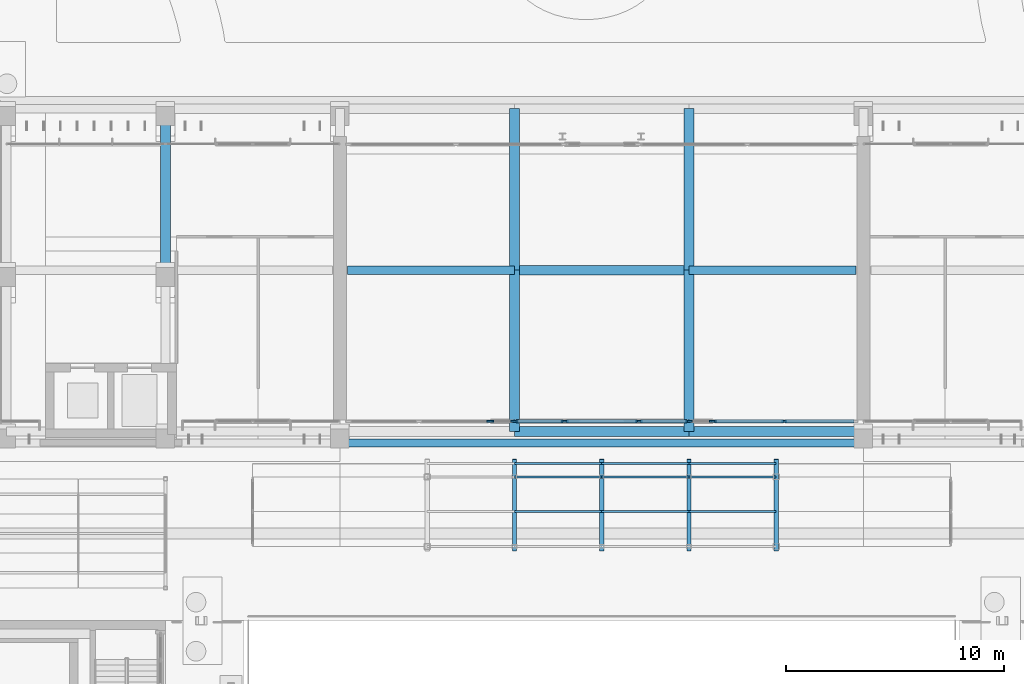
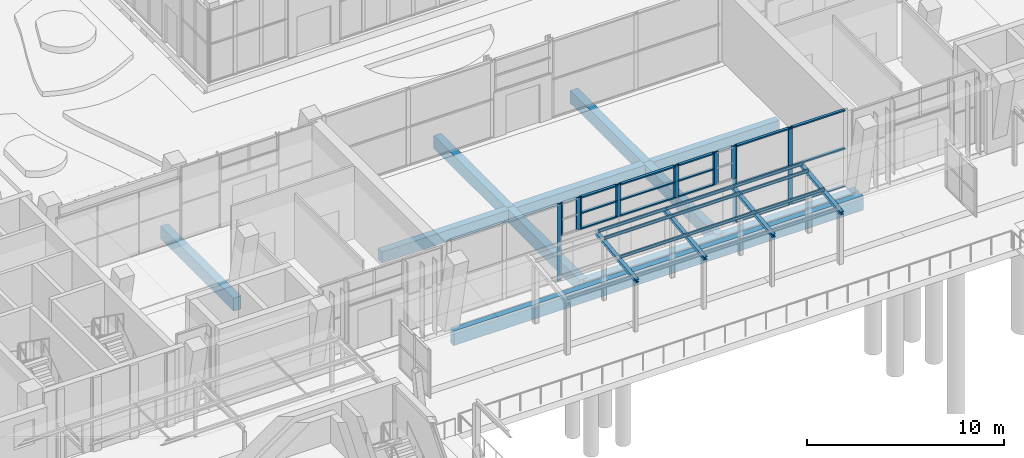
# One storey, part 34 of 144: 37 members, 15 beams, 7 elements without a shape of their own.
"""IFC4 building model written with IfcOpenShell, lengths in metres."""

from ifc_helpers import new_model, si_unit, direction, frame, origin, origin_2d, place, context, subcontext, project, spatial, rectangle, i_section, extrude, material, material_profile, profile_set, type_object, element, aggregate, save


model = new_model("IFC4")

# Units and contexts
model_context = context("Model", 3, precision=1e-05, world=origin(), true_north=direction((0.0, 1.0)))
body_context = subcontext(model_context, "Body", "Model", "MODEL_VIEW")
ifc_project = project(units=[si_unit("LENGTHUNIT", "METRE"), si_unit("AREAUNIT", "SQUARE_METRE"), si_unit("VOLUMEUNIT", "CUBIC_METRE"), si_unit("PLANEANGLEUNIT", "RADIAN"), si_unit("MASSUNIT", "GRAM", prefix="KILO")], contexts=[model_context])

# Site, building, storey
site_placement = place(None, origin())
site = spatial("IfcSite", under=ifc_project, at=site_placement, CompositionType="ELEMENT")
building_placement = place(site_placement, origin())
building = spatial("IfcBuilding", under=site, at=building_placement, Name="Lantern Court Media Centre", CompositionType="ELEMENT")
storey_placement = place(building_placement, origin())
storey = spatial("IfcBuildingStorey", under=building, at=storey_placement, Name="L00", CompositionType="ELEMENT", Elevation=0.0)

# Curtain wall, member
ifc_material_1 = material(Name="Curtain wall bay 4000")
curtain_wall_type = type_object("IfcCurtainWallType", Name="Curtain wall bay 4000", PredefinedType="NOTDEFINED", material=ifc_material_1)
curtain_wall_1_placement = place(storey_placement, origin())
curtain_wall_1 = element("IfcCurtainWall", 1, at=curtain_wall_1_placement, inside=storey, type_object=curtain_wall_type, Name="Curtain wall S outer L00", PredefinedType="NOTDEFINED")
ifc_material_2 = material(Name="Anodised aluminium", Category="aluminium")
ifc_material_profile_1 = material_profile(ifc_material_2, rectangle(XDim=0.080078125, YDim=0.239990234375, at=origin_2d()), Name="AL 80x240")
ifc_profile_set_1 = profile_set([ifc_material_profile_1], Name="Anodised aluminium")
member_type_1 = type_object("IfcMemberType", Name="Curtain wall mullion 80x240", PredefinedType="MULLION", material=ifc_profile_set_1)
member_1_placement = place(storey_placement, frame((46.860107421875, 49.14990234375, 0.0), z_axis=(0.0, 0.0, 1.0), x_axis=(0.0, 1.0, 0.0)))
member_1 = element("IfcMember", 2, at=member_1_placement, type_object=member_type_1, Name="CW3 mullion 3", PredefinedType="MULLION", context=body_context, shape_type="SweptSolid", body=[
    extrude(rectangle(XDim=0.080078125, YDim=0.239990234375, at=origin_2d()), origin(), (0.0, 0.0, 1.0), 4.800048828125),
])
aggregate(curtain_wall_1, [member_1])

# Curtain wall, members
curtain_wall_2_placement = place(storey_placement, origin())
curtain_wall_2 = element("IfcCurtainWall", 3, at=curtain_wall_2_placement, inside=storey, type_object=curtain_wall_type, Name="Curtain wall S outer L00", PredefinedType="NOTDEFINED")
member_2_placement = place(storey_placement, frame((57.139892578125, 49.14990234375, 0.0), z_axis=(0.0, 0.0, 1.0), x_axis=(0.0, 1.0, 0.0)))
member_2 = element("IfcMember", 4, at=member_2_placement, type_object=member_type_1, Name="CW3 mullion 1", PredefinedType="MULLION", context=body_context, shape_type="SweptSolid", body=[
    extrude(rectangle(XDim=0.080078125, YDim=0.239990234375, at=origin_2d()), origin(), (0.0, 0.0, 1.0), 4.800048828125),
])
member_3_placement = place(storey_placement, frame((60.375, 49.14990234375, 0.0), z_axis=(0.0, 0.0, 1.0), x_axis=(0.0, 1.0, 0.0)))
member_3 = element("IfcMember", 5, at=member_3_placement, type_object=member_type_1, Name="CW3 mullion 2", PredefinedType="MULLION", context=body_context, shape_type="SweptSolid", body=[
    extrude(rectangle(XDim=0.080078125, YDim=0.239990234375, at=origin_2d()), origin(), (0.0, 0.0, 1.0), 4.800048828125),
])

curtain_wall_3_placement = place(storey_placement, origin())
curtain_wall_3 = element("IfcCurtainWall", 6, at=curtain_wall_3_placement, inside=storey, type_object=curtain_wall_type, Name="Curtain wall S outer L00", PredefinedType="NOTDEFINED")
member_4_placement = place(storey_placement, frame((46.93994140625, 49.14990234375, 2.800048828125), z_axis=(0.0, 0.0, 1.0), x_axis=(0.0, 1.0, 0.0)))
member_4 = element("IfcMember", 7, at=member_4_placement, type_object=member_type_1, Name="CW3 mullion 1", PredefinedType="MULLION", context=body_context, shape_type="SweptSolid", body=[
    extrude(rectangle(XDim=0.080078125, YDim=0.239990234375, at=origin_2d()), origin(), (0.0, 0.0, 1.0), 2.0),
])
member_5_placement = place(storey_placement, frame((47.9599609375, 49.14990234375, 2.800048828125), z_axis=(0.0, 0.0, 1.0), x_axis=(0.0, 1.0, 0.0)))
member_5 = element("IfcMember", 8, at=member_5_placement, type_object=member_type_1, Name="CW3 mullion 2", PredefinedType="MULLION", context=body_context, shape_type="SweptSolid", body=[
    extrude(rectangle(XDim=0.080078125, YDim=0.239990234375, at=origin_2d()), origin(), (0.0, 0.0, 1.0), 2.0),
])
aggregate(curtain_wall_3, [member_4, member_5])

curtain_wall_4_placement = place(storey_placement, origin())
curtain_wall_4 = element("IfcCurtainWall", 9, at=curtain_wall_4_placement, inside=storey, type_object=curtain_wall_type, Name="Curtain wall S outer L00", PredefinedType="NOTDEFINED")
member_6_placement = place(storey_placement, frame((48.0400390625, 49.14990234375, 2.800048828125), z_axis=(0.0, 0.0, 1.0), x_axis=(0.0, 1.0, 0.0)))
member_6 = element("IfcMember", 10, at=member_6_placement, type_object=member_type_1, Name="CW3 mullion 1", PredefinedType="MULLION", context=body_context, shape_type="SweptSolid", body=[
    extrude(rectangle(XDim=0.080078125, YDim=0.239990234375, at=origin_2d()), origin(), (0.0, 0.0, 1.0), 2.0),
])
member_7_placement = place(storey_placement, frame((50.260009765625, 49.14990234375, 2.800048828125), z_axis=(0.0, 0.0, 1.0), x_axis=(0.0, 1.0, 0.0)))
member_7 = element("IfcMember", 11, at=member_7_placement, type_object=member_type_1, Name="CW3 mullion 2", PredefinedType="MULLION", context=body_context, shape_type="SweptSolid", body=[
    extrude(rectangle(XDim=0.080078125, YDim=0.239990234375, at=origin_2d()), origin(), (0.0, 0.0, 1.0), 2.0),
])

curtain_wall_5_placement = place(storey_placement, origin())
curtain_wall_5 = element("IfcCurtainWall", 12, at=curtain_wall_5_placement, inside=storey, type_object=curtain_wall_type, Name="Curtain wall S outer L00", PredefinedType="NOTDEFINED")
member_8_placement = place(storey_placement, frame((50.340087890625, 49.14990234375, 2.800048828125), z_axis=(0.0, 0.0, 1.0), x_axis=(0.0, 1.0, 0.0)))
member_8 = element("IfcMember", 13, at=member_8_placement, type_object=member_type_1, Name="CW3 mullion 1", PredefinedType="MULLION", context=body_context, shape_type="SweptSolid", body=[
    extrude(rectangle(XDim=0.080078125, YDim=0.239990234375, at=origin_2d()), origin(), (0.0, 0.0, 1.0), 2.0),
])
member_9_placement = place(storey_placement, frame((53.659912109375, 49.14990234375, 2.800048828125), z_axis=(0.0, 0.0, 1.0), x_axis=(0.0, 1.0, 0.0)))
member_9 = element("IfcMember", 14, at=member_9_placement, type_object=member_type_1, Name="CW3 mullion 2", PredefinedType="MULLION", context=body_context, shape_type="SweptSolid", body=[
    extrude(rectangle(XDim=0.080078125, YDim=0.239990234375, at=origin_2d()), origin(), (0.0, 0.0, 1.0), 2.0),
])

curtain_wall_6_placement = place(storey_placement, origin())
curtain_wall_6 = element("IfcCurtainWall", 15, at=curtain_wall_6_placement, inside=storey, type_object=curtain_wall_type, Name="Curtain wall S outer L00", PredefinedType="NOTDEFINED")
member_10_placement = place(storey_placement, frame((53.739990234375, 49.14990234375, 2.800048828125), z_axis=(0.0, 0.0, 1.0), x_axis=(0.0, 1.0, 0.0)))
member_10 = element("IfcMember", 16, at=member_10_placement, type_object=member_type_1, Name="CW3 mullion 1", PredefinedType="MULLION", context=body_context, shape_type="SweptSolid", body=[
    extrude(rectangle(XDim=0.080078125, YDim=0.239990234375, at=origin_2d()), origin(), (0.0, 0.0, 1.0), 2.0),
])
member_11_placement = place(storey_placement, frame((55.9599609375, 49.14990234375, 2.800048828125), z_axis=(0.0, 0.0, 1.0), x_axis=(0.0, 1.0, 0.0)))
member_11 = element("IfcMember", 17, at=member_11_placement, type_object=member_type_1, Name="CW3 mullion 2", PredefinedType="MULLION", context=body_context, shape_type="SweptSolid", body=[
    extrude(rectangle(XDim=0.080078125, YDim=0.239990234375, at=origin_2d()), origin(), (0.0, 0.0, 1.0), 2.0),
])

curtain_wall_7_placement = place(storey_placement, origin())
curtain_wall_7 = element("IfcCurtainWall", 18, at=curtain_wall_7_placement, inside=storey, type_object=curtain_wall_type, Name="Curtain wall S outer L00", PredefinedType="NOTDEFINED")
member_12_placement = place(storey_placement, frame((56.0400390625, 49.14990234375, 2.800048828125), z_axis=(0.0, 0.0, 1.0), x_axis=(0.0, 1.0, 0.0)))
member_12 = element("IfcMember", 19, at=member_12_placement, type_object=member_type_1, Name="CW3 mullion 1", PredefinedType="MULLION", context=body_context, shape_type="SweptSolid", body=[
    extrude(rectangle(XDim=0.080078125, YDim=0.239990234375, at=origin_2d()), origin(), (0.0, 0.0, 1.0), 2.0),
])
member_13_placement = place(storey_placement, frame((57.06005859375, 49.14990234375, 2.800048828125), z_axis=(0.0, 0.0, 1.0), x_axis=(0.0, 1.0, 0.0)))
member_13 = element("IfcMember", 20, at=member_13_placement, type_object=member_type_1, Name="CW3 mullion 2", PredefinedType="MULLION", context=body_context, shape_type="SweptSolid", body=[
    extrude(rectangle(XDim=0.080078125, YDim=0.239990234375, at=origin_2d()), origin(), (0.0, 0.0, 1.0), 2.0),
])
aggregate(curtain_wall_7, [member_12, member_13])

# Member
ifc_material_profile_2 = material_profile(ifc_material_2, rectangle(XDim=0.159912109375, YDim=0.080078125, at=origin_2d()), Name="AL 80x160")
ifc_profile_set_2 = profile_set([ifc_material_profile_2], Name="Anodised aluminium")
member_type_2 = type_object("IfcMemberType", Name="Curtain wall transom 160x80", PredefinedType="USERDEFINED", material=ifc_profile_set_2)
member_14_placement = place(storey_placement, frame((57.179931640625, 49.14990234375, 0.0400390625), z_axis=(1.0, 0.0, 0.0), x_axis=(0.0, 1.0, 0.0)))
member_14 = element("IfcMember", 21, at=member_14_placement, type_object=member_type_2, Name="CW3 transom 1.1", ObjectType="TRANSOM", PredefinedType="USERDEFINED", context=body_context, shape_type="SweptSolid", body=[
    extrude(rectangle(XDim=0.159912109375, YDim=0.080078125, at=origin_2d()), origin(), (0.0, 0.0, 1.0), 3.155029296875),
])

member_15_placement = place(storey_placement, frame((57.179931640625, 49.14990234375, 2.39990234375), z_axis=(1.0, 0.0, 0.0), x_axis=(0.0, 1.0, 0.0)))
member_15 = element("IfcMember", 22, at=member_15_placement, type_object=member_type_2, Name="CW3 transom 1.2", ObjectType="TRANSOM", PredefinedType="USERDEFINED", context=body_context, shape_type="SweptSolid", body=[
    extrude(rectangle(XDim=0.159912109375, YDim=0.080078125, at=origin_2d()), origin(), (0.0, 0.0, 1.0), 3.155029296875),
])

member_16_placement = place(storey_placement, frame((57.179931640625, 49.14990234375, 4.760009765625), z_axis=(1.0, 0.0, 0.0), x_axis=(0.0, 1.0, 0.0)))
member_16 = element("IfcMember", 23, at=member_16_placement, type_object=member_type_2, Name="CW3 transom 1.3", ObjectType="TRANSOM", PredefinedType="USERDEFINED", context=body_context, shape_type="SweptSolid", body=[
    extrude(rectangle(XDim=0.159912109375, YDim=0.080078125, at=origin_2d()), origin(), (0.0, 0.0, 1.0), 3.155029296875),
])

member_17_placement = place(storey_placement, frame((60.4150390625, 49.14990234375, 0.0400390625), z_axis=(1.0, 0.0, 0.0), x_axis=(0.0, 1.0, 0.0)))
member_17 = element("IfcMember", 24, at=member_17_placement, type_object=member_type_2, Name="CW3 transom 2.1", ObjectType="TRANSOM", PredefinedType="USERDEFINED", context=body_context, shape_type="SweptSolid", body=[
    extrude(rectangle(XDim=0.159912109375, YDim=0.080078125, at=origin_2d()), origin(), (0.0, 0.0, 1.0), 3.155029296875),
])

member_18_placement = place(storey_placement, frame((60.4150390625, 49.14990234375, 2.39990234375), z_axis=(1.0, 0.0, 0.0), x_axis=(0.0, 1.0, 0.0)))
member_18 = element("IfcMember", 25, at=member_18_placement, type_object=member_type_2, Name="CW3 transom 2.2", ObjectType="TRANSOM", PredefinedType="USERDEFINED", context=body_context, shape_type="SweptSolid", body=[
    extrude(rectangle(XDim=0.159912109375, YDim=0.080078125, at=origin_2d()), origin(), (0.0, 0.0, 1.0), 3.155029296875),
])

member_19_placement = place(storey_placement, frame((60.4150390625, 49.14990234375, 4.760009765625), z_axis=(1.0, 0.0, 0.0), x_axis=(0.0, 1.0, 0.0)))
member_19 = element("IfcMember", 26, at=member_19_placement, type_object=member_type_2, Name="CW3 transom 2.3", ObjectType="TRANSOM", PredefinedType="USERDEFINED", context=body_context, shape_type="SweptSolid", body=[
    extrude(rectangle(XDim=0.159912109375, YDim=0.080078125, at=origin_2d()), origin(), (0.0, 0.0, 1.0), 3.155029296875),
])

aggregate(curtain_wall_2, [member_2, member_3, member_14, member_15, member_16, member_17, member_18, member_19])

member_20_placement = place(storey_placement, frame((48.080078125, 49.14990234375, 2.840087890625), z_axis=(1.0, 0.0, 0.0), x_axis=(0.0, 1.0, 0.0)))
member_20 = element("IfcMember", 27, at=member_20_placement, type_object=member_type_2, Name="CW3 transom 1.1", ObjectType="TRANSOM", PredefinedType="USERDEFINED", context=body_context, shape_type="SweptSolid", body=[
    extrude(rectangle(XDim=0.159912109375, YDim=0.080078125, at=origin_2d()), origin(), (0.0, 0.0, 1.0), 2.139892578125),
])

member_21_placement = place(storey_placement, frame((48.080078125, 49.14990234375, 3.800048828125), z_axis=(1.0, 0.0, 0.0), x_axis=(0.0, 1.0, 0.0)))
member_21 = element("IfcMember", 28, at=member_21_placement, type_object=member_type_2, Name="CW3 transom 1.2", ObjectType="TRANSOM", PredefinedType="USERDEFINED", context=body_context, shape_type="SweptSolid", body=[
    extrude(rectangle(XDim=0.159912109375, YDim=0.080078125, at=origin_2d()), origin(), (0.0, 0.0, 1.0), 2.139892578125),
])

member_22_placement = place(storey_placement, frame((48.080078125, 49.14990234375, 4.760009765625), z_axis=(1.0, 0.0, 0.0), x_axis=(0.0, 1.0, 0.0)))
member_22 = element("IfcMember", 29, at=member_22_placement, type_object=member_type_2, Name="CW3 transom 1.3", ObjectType="TRANSOM", PredefinedType="USERDEFINED", context=body_context, shape_type="SweptSolid", body=[
    extrude(rectangle(XDim=0.159912109375, YDim=0.080078125, at=origin_2d()), origin(), (0.0, 0.0, 1.0), 2.139892578125),
])

aggregate(curtain_wall_4, [member_6, member_7, member_20, member_21, member_22])

member_23_placement = place(storey_placement, frame((50.3798828125, 49.14990234375, 2.840087890625), z_axis=(1.0, 0.0, 0.0), x_axis=(0.0, 1.0, 0.0)))
member_23 = element("IfcMember", 30, at=member_23_placement, type_object=member_type_2, Name="CW3 transom 1.1", ObjectType="TRANSOM", PredefinedType="USERDEFINED", context=body_context, shape_type="SweptSolid", body=[
    extrude(rectangle(XDim=0.159912109375, YDim=0.080078125, at=origin_2d()), origin(), (0.0, 0.0, 1.0), 3.240234375),
])

member_24_placement = place(storey_placement, frame((50.3798828125, 49.14990234375, 3.800048828125), z_axis=(1.0, 0.0, 0.0), x_axis=(0.0, 1.0, 0.0)))
member_24 = element("IfcMember", 31, at=member_24_placement, type_object=member_type_2, Name="CW3 transom 1.2", ObjectType="TRANSOM", PredefinedType="USERDEFINED", context=body_context, shape_type="SweptSolid", body=[
    extrude(rectangle(XDim=0.159912109375, YDim=0.080078125, at=origin_2d()), origin(), (0.0, 0.0, 1.0), 3.240234375),
])

member_25_placement = place(storey_placement, frame((50.3798828125, 49.14990234375, 4.760009765625), z_axis=(1.0, 0.0, 0.0), x_axis=(0.0, 1.0, 0.0)))
member_25 = element("IfcMember", 32, at=member_25_placement, type_object=member_type_2, Name="CW3 transom 1.3", ObjectType="TRANSOM", PredefinedType="USERDEFINED", context=body_context, shape_type="SweptSolid", body=[
    extrude(rectangle(XDim=0.159912109375, YDim=0.080078125, at=origin_2d()), origin(), (0.0, 0.0, 1.0), 3.240234375),
])

aggregate(curtain_wall_5, [member_8, member_9, member_23, member_24, member_25])

member_26_placement = place(storey_placement, frame((53.780029296875, 49.14990234375, 2.840087890625), z_axis=(1.0, 0.0, 0.0), x_axis=(0.0, 1.0, 0.0)))
member_26 = element("IfcMember", 33, at=member_26_placement, type_object=member_type_2, Name="CW3 transom 1.1", ObjectType="TRANSOM", PredefinedType="USERDEFINED", context=body_context, shape_type="SweptSolid", body=[
    extrude(rectangle(XDim=0.159912109375, YDim=0.080078125, at=origin_2d()), origin(), (0.0, 0.0, 1.0), 2.139892578125),
])

member_27_placement = place(storey_placement, frame((53.780029296875, 49.14990234375, 3.800048828125), z_axis=(1.0, 0.0, 0.0), x_axis=(0.0, 1.0, 0.0)))
member_27 = element("IfcMember", 34, at=member_27_placement, type_object=member_type_2, Name="CW3 transom 1.2", ObjectType="TRANSOM", PredefinedType="USERDEFINED", context=body_context, shape_type="SweptSolid", body=[
    extrude(rectangle(XDim=0.159912109375, YDim=0.080078125, at=origin_2d()), origin(), (0.0, 0.0, 1.0), 2.139892578125),
])

member_28_placement = place(storey_placement, frame((53.780029296875, 49.14990234375, 4.760009765625), z_axis=(1.0, 0.0, 0.0), x_axis=(0.0, 1.0, 0.0)))
member_28 = element("IfcMember", 35, at=member_28_placement, type_object=member_type_2, Name="CW3 transom 1.3", ObjectType="TRANSOM", PredefinedType="USERDEFINED", context=body_context, shape_type="SweptSolid", body=[
    extrude(rectangle(XDim=0.159912109375, YDim=0.080078125, at=origin_2d()), origin(), (0.0, 0.0, 1.0), 2.139892578125),
])

aggregate(curtain_wall_6, [member_10, member_11, member_26, member_27, member_28])

# Members
ifc_material_3 = material(Name="Steel S355J2 (EN 10025-2)", Category="steel")
ifc_material_profile_3 = material_profile(ifc_material_3, i_section(OverallWidth=0.091064453125, OverallDepth=0.179931640625, WebThickness=0.00537109375, FlangeThickness=0.008056640625, FilletRadius=0.009033203125, at=origin_2d()), Name="IPE 180")
ifc_profile_set_3 = profile_set([ifc_material_profile_3], Name="Steel S355J2 (EN 10025-2)")
member_type_3 = type_object("IfcMemberType", Name="Entrance canopy purlin IPE 180", PredefinedType="PURLIN", material=ifc_profile_set_3)
for number, where, z_axis, x_axis, name in (
    (36, (48.0, 45.0, 3.604248046875), (1.0, 0.0, 0.0), (0.0, 1.0, 0.0), "Entrance canopy purlin 2-2"),
    (37, (52.0, 45.0, 3.604248046875), (1.0, 0.0, 0.0), (0.0, 1.0, 0.0), "Entrance canopy purlin 2-3"),
    (38, (56.0, 45.0, 3.604248046875), (1.0, 0.0, 0.0), (0.0, 1.0, 0.0), "Entrance canopy purlin 2-4"),
    (39, (48.0, 46.60009765625, 3.794677734375), (1.0, 0.0, 0.0), (0.0, 1.0, 0.0), "Entrance canopy purlin 3-2"),
    (40, (52.0, 46.60009765625, 3.794677734375), (1.0, 0.0, 0.0), (0.0, 1.0, 0.0), "Entrance canopy purlin 3-3"),
    (41, (56.0, 46.60009765625, 3.794677734375), (1.0, 0.0, 0.0), (0.0, 1.0, 0.0), "Entrance canopy purlin 3-4"),
    (42, (48.0, 47.199951171875, 3.865966796875), (1.0, 0.0, 0.0), (0.0, 1.0, 0.0), "Entrance canopy purlin 4-2"),
    (43, (52.0, 47.199951171875, 3.865966796875), (1.0, 0.0, 0.0), (0.0, 1.0, 0.0), "Entrance canopy purlin 4-3"),
    (44, (56.0, 47.199951171875, 3.865966796875), (1.0, 0.0, 0.0), (0.0, 1.0, 0.0), "Entrance canopy purlin 4-4"),
):
    element("IfcMember", number, at=place(storey_placement, frame(where, z_axis=z_axis, x_axis=x_axis)), inside=storey, type_object=member_type_3, Name=name, PredefinedType="PURLIN", context=body_context, shape_type="SweptSolid", body=[
        extrude(i_section(OverallWidth=0.091064453125, OverallDepth=0.179931640625, WebThickness=0.00537109375, FlangeThickness=0.008056640625, FilletRadius=0.009033203125, at=origin_2d()), origin(), (0.0, 0.0, 1.0), 4.0),
    ])

# Beams
ifc_material_profile_4 = material_profile(ifc_material_3, i_section(OverallWidth=0.199951171875, OverallDepth=0.18994140625, WebThickness=0.006591796875, FlangeThickness=0.010009765625, FilletRadius=0.01806640625, at=origin_2d()), Name="HEA 200")
ifc_profile_set_4 = profile_set([ifc_material_profile_4], Name="Steel S355J2 (EN 10025-2)")
beam_type_1 = type_object("IfcBeamType", Name="Entrance canopy rafter HEA 200", PredefinedType="BEAM", material=ifc_profile_set_4)
for number, where, z_axis, x_axis, name in (
    (45, (48.0, 43.199951171875, 3.205078125), (0.0, 0.992994886978, 0.118157329166), (-1.0, 0.0, 0.0), "Entrance canopy rafter 2"),
    (46, (52.0, 43.199951171875, 3.205078125), (0.0, 0.992994886978, 0.118157329166), (-1.0, 0.0, 0.0), "Entrance canopy rafter 3"),
    (47, (56.0, 43.199951171875, 3.205078125), (0.0, 0.992994886978, 0.118157329166), (-1.0, 0.0, 0.0), "Entrance canopy rafter 4"),
    (48, (60.0, 43.199951171875, 3.205078125), (0.0, 0.992994886978, 0.118157329166), (-1.0, 0.0, 0.0), "Entrance canopy rafter 5"),
):
    element("IfcBeam", number, at=place(storey_placement, frame(where, z_axis=z_axis, x_axis=x_axis)), inside=storey, type_object=beam_type_1, Name=name, PredefinedType="BEAM", context=body_context, shape_type="SweptSolid", body=[
        extrude(i_section(OverallWidth=0.199951171875, OverallDepth=0.18994140625, WebThickness=0.006591796875, FlangeThickness=0.010009765625, FilletRadius=0.01806640625, at=origin_2d()), origin(), (0.0, 0.0, 1.0), 4.2294921875),
    ])
ifc_material_4 = material(Name="Concrete C35", Category="concrete")
ifc_material_profile_5 = material_profile(ifc_material_4, rectangle(XDim=0.35009765625, YDim=0.89990234375, at=origin_2d()), Name="RC 350x900")
ifc_profile_set_5 = profile_set([ifc_material_profile_5], Name="Concrete C35")
beam_type_2 = type_object("IfcBeamType", Name="RC BEAM 350x900", PredefinedType="BEAM", material=ifc_profile_set_5)
beam_1_placement = place(storey_placement, frame((40.0, 48.14990234375, -0.449951171875), z_axis=(1.0, 0.0, 0.0), x_axis=(0.0, 1.0, 0.0)))
element("IfcBeam", 49, at=beam_1_placement, inside=storey, type_object=beam_type_2, Name="EB-S-L00-A-1", PredefinedType="BEAM", context=body_context, shape_type="SweptSolid", body=[
    extrude(rectangle(XDim=0.35009765625, YDim=0.89990234375, at=origin_2d()), origin(), (0.0, 0.0, 1.0), 24.0),
])
ifc_material_profile_6 = material_profile(ifc_material_4, rectangle(XDim=0.39990234375, YDim=0.699951171875, at=origin_2d()), Name="RC 400x700")
ifc_profile_set_6 = profile_set([ifc_material_profile_6], Name="Concrete C35")
beam_type_3 = type_object("IfcBeamType", Name="RC BEAM 400x700", PredefinedType="BEAM", material=ifc_profile_set_6)
for number, where, z_axis, x_axis, name in (
    (50, (40.35009765625, 56.072998046875, -0.35009765625), (1.0, 0.0, 0.0), (0.0, 1.0, 0.0), "LB-S-L00-1-2"),
    (51, (56.0, 56.072998046875, -0.35009765625), (1.0, 0.0, 0.0), (0.0, 1.0, 0.0), "LB-S-L00-1-4"),
):
    element("IfcBeam", number, at=place(storey_placement, frame(where, z_axis=z_axis, x_axis=x_axis)), inside=storey, type_object=beam_type_3, Name=name, PredefinedType="BEAM", context=body_context, shape_type="SweptSolid", body=[
        extrude(rectangle(XDim=0.39990234375, YDim=0.699951171875, at=origin_2d()), origin(), (0.0, 0.0, 1.0), 7.64990234375),
    ])
ifc_material_profile_7 = material_profile(ifc_material_4, rectangle(XDim=0.449951171875, YDim=0.699951171875, at=origin_2d()), Name="RC 450x700")
ifc_profile_set_7 = profile_set([ifc_material_profile_7], Name="Concrete C35")
beam_type_4 = type_object("IfcBeamType", Name="RC BEAM 450x700", PredefinedType="BEAM", material=ifc_profile_set_7)
for number, where, z_axis, x_axis, name in (
    (52, (48.0, 48.6728515625, -0.35009765625), (1.0, 0.0, 0.0), (0.0, 1.0, 0.0), "LB-S-L00-0-3"),
    (53, (56.0, 48.6728515625, -0.35009765625), (1.0, 0.0, 0.0), (0.0, 1.0, 0.0), "LB-S-L00-0-4"),
    (54, (48.0, 56.072998046875, -0.35009765625), (1.0, 0.0, 0.0), (0.0, 1.0, 0.0), "LB-S-L00-1-3"),
):
    element("IfcBeam", number, at=place(storey_placement, frame(where, z_axis=z_axis, x_axis=x_axis)), inside=storey, type_object=beam_type_4, Name=name, PredefinedType="BEAM", context=body_context, shape_type="SweptSolid", body=[
        extrude(rectangle(XDim=0.449951171875, YDim=0.699951171875, at=origin_2d()), origin(), (0.0, 0.0, 1.0), 8.0),
    ])
ifc_material_profile_8 = material_profile(ifc_material_4, rectangle(XDim=0.449951171875, YDim=0.800048828125, at=origin_2d()), Name="RC 450x800")
ifc_profile_set_8 = profile_set([ifc_material_profile_8], Name="Concrete C35")
beam_type_5 = type_object("IfcBeamType", Name="RC BEAM 450x800", PredefinedType="BEAM", material=ifc_profile_set_8)
beam_2_placement = place(storey_placement, frame((32.0, 56.083251953125, -0.39990234375), z_axis=(0.0, 1.0, 0.0), x_axis=(-1.0, 0.0, 0.0)))
element("IfcBeam", 55, at=beam_2_placement, inside=storey, type_object=beam_type_5, Name="TB-S-L00-1-2", PredefinedType="BEAM", context=body_context, shape_type="SweptSolid", body=[
    extrude(rectangle(XDim=0.449951171875, YDim=0.800048828125, at=origin_2d()), origin(), (0.0, 0.0, 1.0), 7.400146484375),
])
beam_3_placement = place(storey_placement, frame((48.0, 48.683349609375, -0.39990234375), z_axis=(0.0, 1.0, 0.0), x_axis=(-1.0, 0.0, 0.0)))
element("IfcBeam", 56, at=beam_3_placement, inside=storey, type_object=beam_type_5, Name="TB-S-L00-3-1", PredefinedType="BEAM", context=body_context, shape_type="SweptSolid", body=[
    extrude(rectangle(XDim=0.449951171875, YDim=0.800048828125, at=origin_2d()), origin(), (0.0, 0.0, 1.0), 7.39990234375),
])
beam_4_placement = place(storey_placement, frame((48.0, 56.083251953125, -0.39990234375), z_axis=(0.0, 1.0, 0.0), x_axis=(-1.0, 0.0, 0.0)))
element("IfcBeam", 57, at=beam_4_placement, inside=storey, type_object=beam_type_5, Name="TB-S-L00-3-2", PredefinedType="BEAM", context=body_context, shape_type="SweptSolid", body=[
    extrude(rectangle(XDim=0.449951171875, YDim=0.800048828125, at=origin_2d()), origin(), (0.0, 0.0, 1.0), 7.400146484375),
])
beam_5_placement = place(storey_placement, frame((56.0, 48.683349609375, -0.39990234375), z_axis=(0.0, 1.0, 0.0), x_axis=(-1.0, 0.0, 0.0)))
element("IfcBeam", 58, at=beam_5_placement, inside=storey, type_object=beam_type_5, Name="TB-S-L00-4-1", PredefinedType="BEAM", context=body_context, shape_type="SweptSolid", body=[
    extrude(rectangle(XDim=0.449951171875, YDim=0.800048828125, at=origin_2d()), origin(), (0.0, 0.0, 1.0), 7.39990234375),
])
beam_6_placement = place(storey_placement, frame((56.0, 56.083251953125, -0.39990234375), z_axis=(0.0, 1.0, 0.0), x_axis=(-1.0, 0.0, 0.0)))
element("IfcBeam", 59, at=beam_6_placement, inside=storey, type_object=beam_type_5, Name="TB-S-L00-4-2", PredefinedType="BEAM", context=body_context, shape_type="SweptSolid", body=[
    extrude(rectangle(XDim=0.449951171875, YDim=0.800048828125, at=origin_2d()), origin(), (0.0, 0.0, 1.0), 7.400146484375),
])

save(model, "model.ifc")
